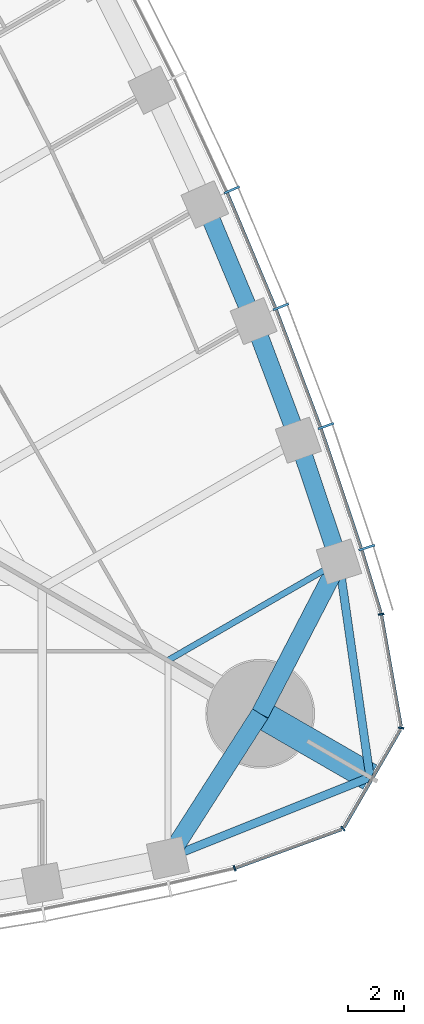
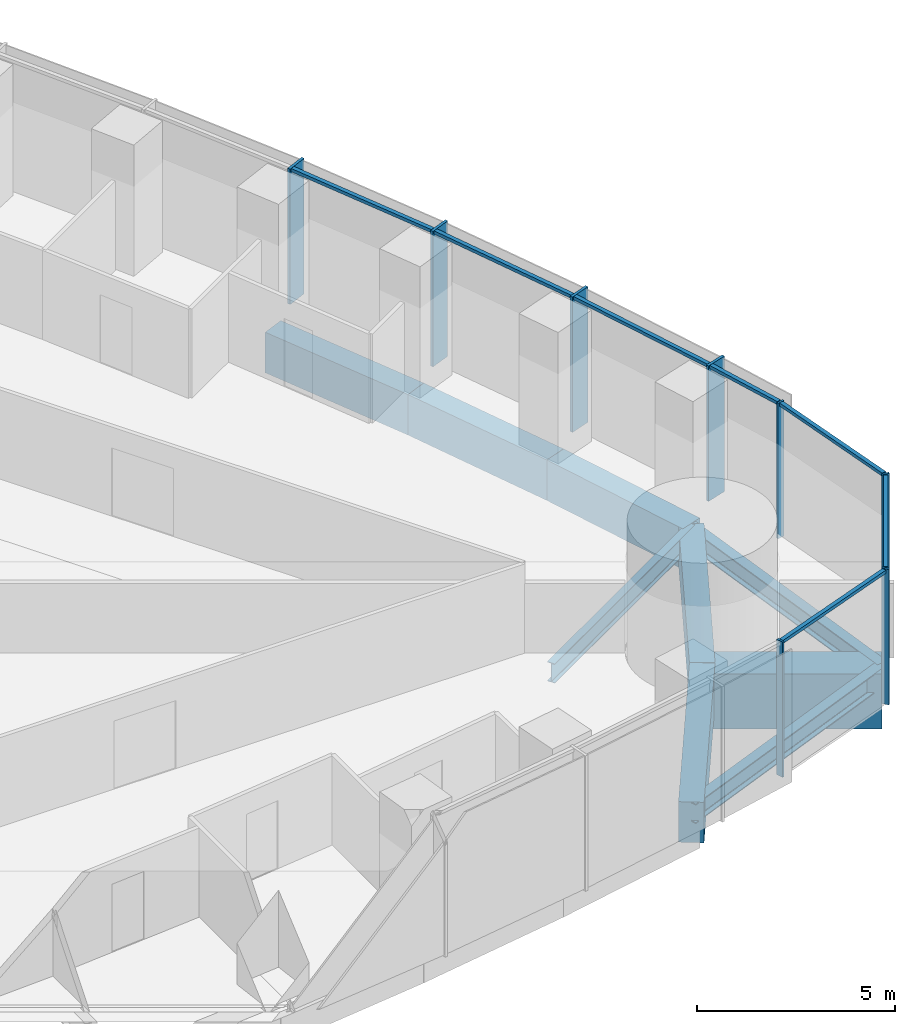
# One storey, part 8 of 19: 15 members, 9 beams, 2 elements without a shape of their own.
"""IFC4 building model written with IfcOpenShell, lengths in metres."""

from ifc_helpers import new_model, si_unit, direction, frame, origin, origin_2d, place, context, subcontext, project, spatial, rectangle, i_section, extrude, material, material_profile, profile_set, type_object, element, aggregate, save


model = new_model("IFC4")

# Units and contexts
model_context = context("Model", 3, precision=1e-05, world=origin(), true_north=direction((0.0, 1.0)))
body_context = subcontext(model_context, "Body", "Model", "MODEL_VIEW")
ifc_project = project(units=[si_unit("LENGTHUNIT", "METRE"), si_unit("AREAUNIT", "SQUARE_METRE"), si_unit("VOLUMEUNIT", "CUBIC_METRE"), si_unit("PLANEANGLEUNIT", "RADIAN"), si_unit("MASSUNIT", "GRAM", prefix="KILO")], contexts=[model_context])

# Site, building, storey
site_placement = place(None, origin())
site = spatial("IfcSite", under=ifc_project, at=site_placement, CompositionType="ELEMENT")
building_placement = place(site_placement, origin())
building = spatial("IfcBuilding", under=site, at=building_placement, Name="Trefoil Bronze Tower", CompositionType="ELEMENT")
storey_placement = place(building_placement, frame((0.0, 0.0, 132.5)))
storey = spatial("IfcBuildingStorey", under=building, at=storey_placement, Name="L30", CompositionType="ELEMENT", Elevation=132.5)

# Curtain wall, members
ifc_material_1 = material(Name="Tinted solar-control glass", Category="glass")
curtain_wall_type_1 = type_object("IfcCurtainWallType", Name="Bronze office curtain wall", PredefinedType="USERDEFINED", material=ifc_material_1)
curtain_wall_1_placement = place(storey_placement, origin())
curtain_wall_1 = element("IfcCurtainWall", 1, at=curtain_wall_1_placement, inside=storey, type_object=curtain_wall_type_1, Name="CW-A L30 F2", ObjectType="CURTAIN WALL", PredefinedType="USERDEFINED")
ifc_material_2 = material(Name="Bronze-finish aluminium", Category="aluminium")
ifc_material_profile_1 = material_profile(ifc_material_2, rectangle(XDim=0.60009765625, YDim=0.080078125, at=origin_2d()), Name="CW-A mullion")
ifc_profile_set_1 = profile_set([ifc_material_profile_1], Name="Bronze-finish aluminium")
member_type_1 = type_object("IfcMemberType", Name="Bronze office curtain wall mullion", PredefinedType="MULLION", material=ifc_profile_set_1)
member_1_placement = place(storey_placement, frame((34.1337890625, -11.543212890625, 0.0), z_axis=(0.0, 0.0, 1.0), x_axis=(-0.952331125357, -0.30506626768, 0.0)))
member_1 = element("IfcMember", 2, at=member_1_placement, type_object=member_type_1, Name="CW-A L30 F2 mullion 2", PredefinedType="MULLION", context=body_context, shape_type="SweptSolid", body=[
    extrude(rectangle(XDim=0.60009765625, YDim=0.080078125, at=origin_2d()), origin(), (0.0, 0.0, 1.0), 4.179931640625),
])
member_2_placement = place(storey_placement, frame((32.668701171875, -7.181884765625, 0.0), z_axis=(0.0, 0.0, 1.0), x_axis=(-0.94196250502, -0.335718094742, 0.0)))
member_2 = element("IfcMember", 3, at=member_2_placement, type_object=member_type_1, Name="CW-A L30 F2 mullion 3", PredefinedType="MULLION", context=body_context, shape_type="SweptSolid", body=[
    extrude(rectangle(XDim=0.60009765625, YDim=0.080078125, at=origin_2d()), origin(), (0.0, 0.0, 1.0), 4.179931640625),
])
member_3_placement = place(storey_placement, frame((31.055419921875, -2.90478515625, 0.0), z_axis=(0.0, 0.0, 1.0), x_axis=(-0.929071242848, -0.369900832269, 0.0)))
member_3 = element("IfcMember", 4, at=member_3_placement, type_object=member_type_1, Name="CW-A L30 F2 mullion 4", PredefinedType="MULLION", context=body_context, shape_type="SweptSolid", body=[
    extrude(rectangle(XDim=0.60009765625, YDim=0.080078125, at=origin_2d()), origin(), (0.0, 0.0, 1.0), 4.179931640625),
])
member_4_placement = place(storey_placement, frame((29.296875, 1.28857421875, 0.0), z_axis=(0.0, 0.0, 1.0), x_axis=(-0.915018269914, -0.40341240155, 0.0)))
member_4 = element("IfcMember", 5, at=member_4_placement, type_object=member_type_1, Name="CW-A L30 F2 mullion 5", PredefinedType="MULLION", context=body_context, shape_type="SweptSolid", body=[
    extrude(rectangle(XDim=0.60009765625, YDim=0.080078125, at=origin_2d()), origin(), (0.0, 0.0, 1.0), 4.179931640625),
])
ifc_material_3 = material(Name="Bronze-finish aluminium", Category="aluminium")
ifc_material_profile_2 = material_profile(ifc_material_3, rectangle(XDim=0.1201171875, YDim=0.10009765625, at=origin_2d()), Name="CW-A transom")
ifc_profile_set_2 = profile_set([ifc_material_profile_2], Name="Bronze-finish aluminium")
member_type_2 = type_object("IfcMemberType", Name="Bronze office curtain wall transom", PredefinedType="USERDEFINED", material=ifc_profile_set_2)
member_5_placement = place(storey_placement, frame((34.637939453125, -13.88232421875, 4.1298828125), z_axis=(-0.291680468798, 0.956515814883, 0.0), x_axis=(-0.956515814883, -0.291680468798, 0.0)))
member_5 = element("IfcMember", 6, at=member_5_placement, type_object=member_type_2, Name="CW-A L30 F2 transom 1", ObjectType="TRANSOM", PredefinedType="USERDEFINED", context=body_context, shape_type="SweptSolid", body=[
    extrude(rectangle(XDim=0.1201171875, YDim=0.10009765625, at=origin_2d()), origin(), (0.0, 0.0, 1.0), 2.34033203125),
])
member_6_placement = place(storey_placement, frame((33.929931640625, -11.56494140625, 4.1298828125), z_axis=(-0.318386323729, 0.947961048178, 0.0), x_axis=(-0.947961048178, -0.318386323729, 0.0)))
member_6 = element("IfcMember", 7, at=member_6_placement, type_object=member_type_2, Name="CW-A L30 F2 transom 2", ObjectType="TRANSOM", PredefinedType="USERDEFINED", context=body_context, shape_type="SweptSolid", body=[
    extrude(rectangle(XDim=0.1201171875, YDim=0.10009765625, at=origin_2d()), origin(), (0.0, 0.0, 1.0), 4.51123046875),
])
member_7_placement = place(storey_placement, frame((32.465576171875, -7.2099609375, 4.1298828125), z_axis=(-0.352932154759, 0.935648916067, 0.0), x_axis=(-0.935648916067, -0.352932154759, 0.0)))
member_7 = element("IfcMember", 8, at=member_7_placement, type_object=member_type_2, Name="CW-A L30 F2 transom 3", ObjectType="TRANSOM", PredefinedType="USERDEFINED", context=body_context, shape_type="SweptSolid", body=[
    extrude(rectangle(XDim=0.1201171875, YDim=0.10009765625, at=origin_2d()), origin(), (0.0, 0.0, 1.0), 4.48046875),
])
member_8_placement = place(storey_placement, frame((30.853515625, -2.940185546875, 4.1298828125), z_axis=(-0.386773266184, 0.922174842731, 0.0), x_axis=(-0.922174842731, -0.386773266184, 0.0)))
member_8 = element("IfcMember", 9, at=member_8_placement, type_object=member_type_2, Name="CW-A L30 F2 transom 4", ObjectType="TRANSOM", PredefinedType="USERDEFINED", context=body_context, shape_type="SweptSolid", body=[
    extrude(rectangle(XDim=0.1201171875, YDim=0.10009765625, at=origin_2d()), origin(), (0.0, 0.0, 1.0), 4.45654296875),
])
aggregate(curtain_wall_1, [member_1, member_2, member_3, member_4, member_5, member_6, member_7, member_8])

ifc_material_4 = material(Name="Tinted solar-control glass", Category="glass")
curtain_wall_type_2 = type_object("IfcCurtainWallType", Name="Bronze rounded corner curtain wall", PredefinedType="USERDEFINED", material=ifc_material_4)
curtain_wall_2_placement = place(storey_placement, origin())
curtain_wall_2 = element("IfcCurtainWall", 10, at=curtain_wall_2_placement, inside=storey, type_object=curtain_wall_type_2, Name="CW-B L30 K1", ObjectType="CURTAIN WALL", PredefinedType="USERDEFINED")
ifc_material_5 = material(Name="Bronze-finish aluminium", Category="aluminium")
ifc_material_profile_3 = material_profile(ifc_material_5, rectangle(XDim=0.199951171875, YDim=0.06005859375, at=origin_2d()), Name="CW-B mullion")
ifc_profile_set_3 = profile_set([ifc_material_profile_3], Name="Bronze-finish aluminium")
member_type_3 = type_object("IfcMemberType", Name="Bronze rounded corner curtain wall mullion", PredefinedType="MULLION", material=ifc_profile_set_3)
member_9_placement = place(storey_placement, frame((29.391845703125, -23.043701171875, 0.0), z_axis=(0.0, 0.0, 1.0), x_axis=(-0.342020143326, 0.939692620786, 0.0)))
member_9 = element("IfcMember", 11, at=member_9_placement, type_object=member_type_3, Name="CW-B L30 K1 mullion 1", PredefinedType="MULLION", context=body_context, shape_type="SweptSolid", body=[
    extrude(rectangle(XDim=0.199951171875, YDim=0.06005859375, at=origin_2d()), origin(), (0.0, 0.0, 1.0), 4.179931640625),
])
member_10_placement = place(storey_placement, frame((33.27880859375, -21.62255859375, 0.0), z_axis=(0.0, 0.0, 1.0), x_axis=(-0.642787609687, 0.766044443119, 0.0)))
member_10 = element("IfcMember", 12, at=member_10_placement, type_object=member_type_3, Name="CW-B L30 K1 mullion 2", PredefinedType="MULLION", context=body_context, shape_type="SweptSolid", body=[
    extrude(rectangle(XDim=0.199951171875, YDim=0.06005859375, at=origin_2d()), origin(), (0.0, 0.0, 1.0), 4.179931640625),
])
member_11_placement = place(storey_placement, frame((35.364990234375, -18.009033203125, 0.0), z_axis=(0.0, 0.0, 1.0), x_axis=(-0.984807753012, 0.173648177667, 0.0)))
member_11 = element("IfcMember", 13, at=member_11_placement, type_object=member_type_3, Name="CW-B L30 K1 mullion 3", PredefinedType="MULLION", context=body_context, shape_type="SweptSolid", body=[
    extrude(rectangle(XDim=0.199951171875, YDim=0.06005859375, at=origin_2d()), origin(), (0.0, 0.0, 1.0), 4.179931640625),
])
member_12_placement = place(storey_placement, frame((34.65234375, -13.932373046875, 0.0), z_axis=(0.0, 0.0, 1.0), x_axis=(-0.984807753012, -0.173648177667, 0.0)))
member_12 = element("IfcMember", 14, at=member_12_placement, type_object=member_type_3, Name="CW-B L30 K1 mullion 4", PredefinedType="MULLION", context=body_context, shape_type="SweptSolid", body=[
    extrude(rectangle(XDim=0.199951171875, YDim=0.06005859375, at=origin_2d()), origin(), (0.0, 0.0, 1.0), 4.179931640625),
])
ifc_material_6 = material(Name="Bronze-finish aluminium", Category="aluminium")
ifc_material_profile_4 = material_profile(ifc_material_6, rectangle(XDim=0.1201171875, YDim=0.10009765625, at=origin_2d()), Name="CW-B transom")
ifc_profile_set_4 = profile_set([ifc_material_profile_4], Name="Bronze-finish aluminium")
member_type_4 = type_object("IfcMemberType", Name="Bronze rounded corner curtain wall transom", PredefinedType="USERDEFINED", material=ifc_profile_set_4)
member_13_placement = place(storey_placement, frame((29.420166015625, -23.033447265625, 4.1298828125), z_axis=(0.939684096629, 0.342043562347, 0.0), x_axis=(-0.342043562347, 0.939684096629, 0.0)))
member_13 = element("IfcMember", 15, at=member_13_placement, type_object=member_type_4, Name="CW-B L30 K1 transom 1", ObjectType="TRANSOM", PredefinedType="USERDEFINED", context=body_context, shape_type="SweptSolid", body=[
    extrude(rectangle(XDim=0.1201171875, YDim=0.10009765625, at=origin_2d()), origin(), (0.0, 0.0, 1.0), 4.044189453125),
])
member_14_placement = place(storey_placement, frame((33.31591796875, -21.570068359375, 4.1298828125), z_axis=(0.500015078168, 0.866016698225, 0.0), x_axis=(-0.866016698225, 0.500015078168, 0.0)))
member_14 = element("IfcMember", 16, at=member_14_placement, type_object=member_type_4, Name="CW-B L30 K1 transom 2", ObjectType="TRANSOM", PredefinedType="USERDEFINED", context=body_context, shape_type="SweptSolid", body=[
    extrude(rectangle(XDim=0.1201171875, YDim=0.10009765625, at=origin_2d()), origin(), (0.0, 0.0, 1.0), 4.04443359375),
])
member_15_placement = place(storey_placement, frame((35.35986328125, -17.944580078125, 4.1298828125), z_axis=(-0.173682016639, 0.984801785689, 0.0), x_axis=(-0.984801785689, -0.173682016639, 0.0)))
member_15 = element("IfcMember", 17, at=member_15_placement, type_object=member_type_4, Name="CW-B L30 K1 transom 3", ObjectType="TRANSOM", PredefinedType="USERDEFINED", context=body_context, shape_type="SweptSolid", body=[
    extrude(rectangle(XDim=0.1201171875, YDim=0.10009765625, at=origin_2d()), origin(), (0.0, 0.0, 1.0), 4.044189453125),
])
aggregate(curtain_wall_2, [member_9, member_10, member_11, member_12, member_13, member_14, member_15])

# Beams
ifc_material_7 = material(Name="Concrete B80", Category="concrete")
ifc_material_profile_5 = material_profile(ifc_material_7, rectangle(XDim=1.0, YDim=1.699951171875, at=origin_2d()), Name="RC 1000x1700")
ifc_profile_set_5 = profile_set([ifc_material_profile_5], Name="Concrete B80")
beam_type_1 = type_object("IfcBeamType", Name="Corner cantilever RC 1000x1700", PredefinedType="BEAM", material=ifc_profile_set_5)
beam_1_placement = place(storey_placement, frame((30.310791015625, -17.5, -1.050048828125), z_axis=(0.866031878637, -0.499988785058, 0.0), x_axis=(0.499988785058, 0.866031878637, 0.0)))
element("IfcBeam", 18, at=beam_1_placement, inside=storey, type_object=beam_type_1, Name="Corner cantilever K1 L30", PredefinedType="BEAM", context=body_context, shape_type="SweptSolid", body=[
    extrude(rectangle(XDim=1.0, YDim=1.699951171875, at=origin_2d()), origin(), (0.0, 0.0, 1.0), 4.54931640625),
])
ifc_material_8 = material(Name="Steel C355", Category="steel")
ifc_material_profile_6 = material_profile(ifc_material_8, i_section(OverallWidth=0.300048828125, OverallDepth=0.60009765625, WebThickness=0.015380859375, FlangeThickness=0.030029296875, FilletRadius=0.027099609375, at=origin_2d()), Name="HEB 600")
ifc_profile_set_6 = profile_set([ifc_material_profile_6], Name="Steel C355")
beam_type_2 = type_object("IfcBeamType", Name="Corner edge beam HEB 600", PredefinedType="BEAM", material=ifc_profile_set_6)
for number, where, z_axis, x_axis, name in (
    (19, (27.0, -22.67724609375, -0.5), (0.928375332495, 0.371643972122, 0.0), (-0.371643972122, 0.928375332495, 0.0), "Corner edge beam F1A L30"),
    (20, (33.13916015625, -12.044189453125, -0.5), (0.142327214588, -0.989819662357, 0.0), (0.989819662357, 0.142327214588, 0.0), "Corner edge beam F2B L30"),
):
    element("IfcBeam", number, at=place(storey_placement, frame(where, z_axis=z_axis, x_axis=x_axis)), inside=storey, type_object=beam_type_2, Name=name, PredefinedType="BEAM", context=body_context, shape_type="SweptSolid", body=[
        extrude(i_section(OverallWidth=0.300048828125, OverallDepth=0.60009765625, WebThickness=0.015380859375, FlangeThickness=0.030029296875, FilletRadius=0.027099609375, at=origin_2d()), origin(), (0.0, 0.0, 1.0), 7.81005859375),
    ])
ifc_material_9 = material(Name="Concrete B80", Category="concrete")
ifc_material_profile_7 = material_profile(ifc_material_9, rectangle(XDim=0.64990234375, YDim=1.25, at=origin_2d()), Name="RC 650x1250")
ifc_profile_set_7 = profile_set([ifc_material_profile_7], Name="Concrete B80")
beam_type_3 = type_object("IfcBeamType", Name="End spandrel beam RC 650x1250", PredefinedType="SPANDREL", material=ifc_profile_set_7)
for number, where, z_axis, x_axis, name in (
    (21, (27.0, -22.67724609375, -0.824951171875), (0.53874814953, 0.84246687257, 0.0), (-0.84246687257, 0.53874814953, 0.0), "Spandrel F1.14 L30"),
    (22, (30.310791015625, -17.5, -0.824951171875), (0.460244107083, 0.887792409235, 0.0), (-0.887792409235, 0.460244107083, 0.0), "Spandrel F2.1 L30"),
):
    element("IfcBeam", number, at=place(storey_placement, frame(where, z_axis=z_axis, x_axis=x_axis)), inside=storey, type_object=beam_type_3, Name=name, PredefinedType="SPANDREL", context=body_context, shape_type="SweptSolid", body=[
        extrude(rectangle(XDim=0.64990234375, YDim=1.25, at=origin_2d()), origin(), (0.0, 0.0, 1.0), 6.145263671875),
    ])
ifc_material_10 = material(Name="Steel C355", Category="steel")
ifc_material_profile_8 = material_profile(ifc_material_10, i_section(OverallWidth=0.219970703125, OverallDepth=0.60009765625, WebThickness=0.011962890625, FlangeThickness=0.01904296875, FilletRadius=0.02392578125, at=origin_2d()), Name="IPE 600")
ifc_profile_set_8 = profile_set([ifc_material_profile_8], Name="Steel C355")
beam_type_4 = type_object("IfcBeamType", Name="Floor beam IPE 600", PredefinedType="BEAM", material=ifc_profile_set_8)
beam_2_placement = place(storey_placement, frame((33.13916015625, -12.044189453125, -0.5), z_axis=(-0.866041060244, -0.499972881236, 0.0), x_axis=(0.499972881236, -0.866041060244, 0.0)))
element("IfcBeam", 23, at=beam_2_placement, inside=storey, type_object=beam_type_4, Name="Floor beam F2/-6 L30", PredefinedType="BEAM", context=body_context, shape_type="SweptSolid", body=[
    extrude(i_section(OverallWidth=0.219970703125, OverallDepth=0.60009765625, WebThickness=0.011962890625, FlangeThickness=0.01904296875, FilletRadius=0.02392578125, at=origin_2d()), origin(), (0.0, 0.0, 1.0), 7.0888671875),
])
ifc_material_11 = material(Name="Concrete B80", Category="concrete")
ifc_material_profile_9 = material_profile(ifc_material_11, rectangle(XDim=0.64990234375, YDim=1.25, at=origin_2d()), Name="RC 650x1250")
ifc_profile_set_9 = profile_set([ifc_material_profile_9], Name="Concrete B80")
beam_type_5 = type_object("IfcBeamType", Name="Spandrel beam RC 650x1250", PredefinedType="SPANDREL", material=ifc_profile_set_9)
beam_3_placement = place(storey_placement, frame((33.13916015625, -12.044189453125, -0.824951171875), z_axis=(-0.31732802068, 0.948315837309, 0.0), x_axis=(-0.948315837309, -0.31732802068, 0.0)))
element("IfcBeam", 24, at=beam_3_placement, inside=storey, type_object=beam_type_5, Name="Spandrel F2.2 L30", PredefinedType="SPANDREL", context=body_context, shape_type="SweptSolid", body=[
    extrude(rectangle(XDim=0.64990234375, YDim=1.25, at=origin_2d()), origin(), (0.0, 0.0, 1.0), 4.59228515625),
])
beam_4_placement = place(storey_placement, frame((31.681884765625, -7.689208984375, -0.824951171875), z_axis=(-0.351938675523, 0.936023059904, 0.0), x_axis=(-0.936023059904, -0.351938675523, 0.0)))
element("IfcBeam", 25, at=beam_4_placement, inside=storey, type_object=beam_type_5, Name="Spandrel F2.3 L30", PredefinedType="SPANDREL", context=body_context, shape_type="SweptSolid", body=[
    extrude(rectangle(XDim=0.64990234375, YDim=1.25, at=origin_2d()), origin(), (0.0, 0.0, 1.0), 4.56103515625),
])
beam_5_placement = place(storey_placement, frame((30.07666015625, -3.419921875, -0.824951171875), z_axis=(-0.386013490858, 0.922493135408, 0.0), x_axis=(-0.922493135408, -0.386013490858, 0.0)))
element("IfcBeam", 26, at=beam_5_placement, inside=storey, type_object=beam_type_5, Name="Spandrel F2.4 L30", PredefinedType="SPANDREL", context=body_context, shape_type="SweptSolid", body=[
    extrude(rectangle(XDim=0.64990234375, YDim=1.25, at=origin_2d()), origin(), (0.0, 0.0, 1.0), 4.53662109375),
])

save(model, "model.ifc")
